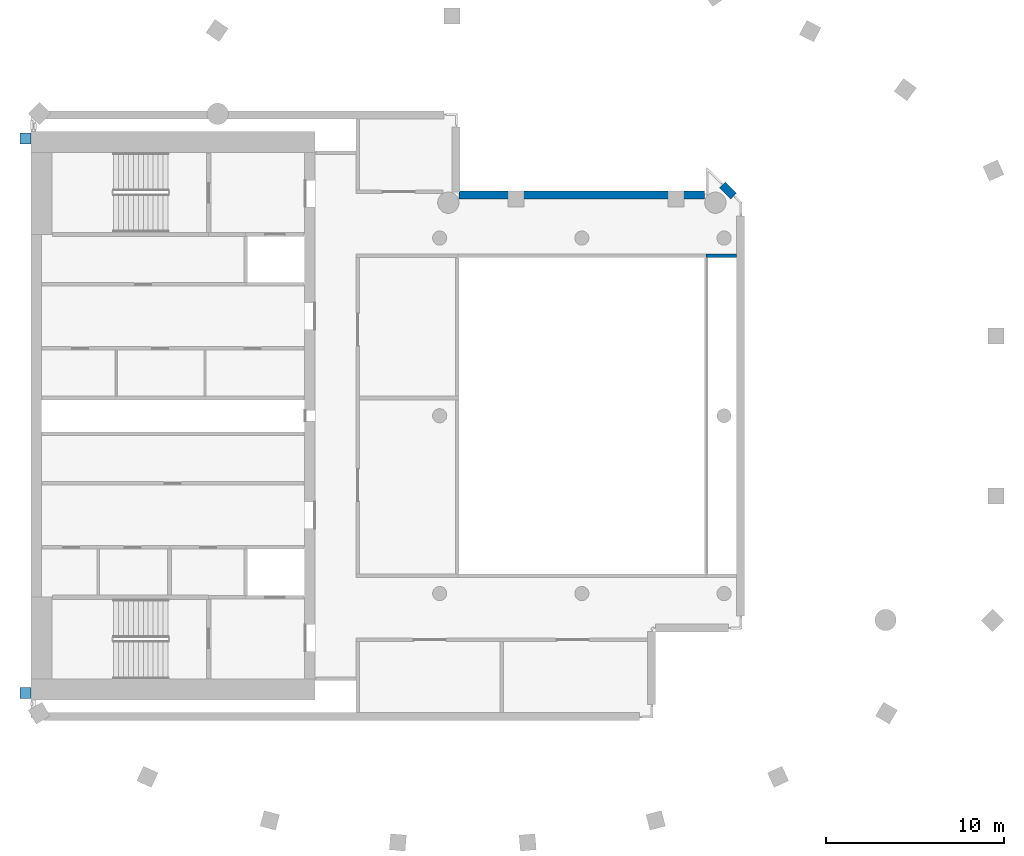
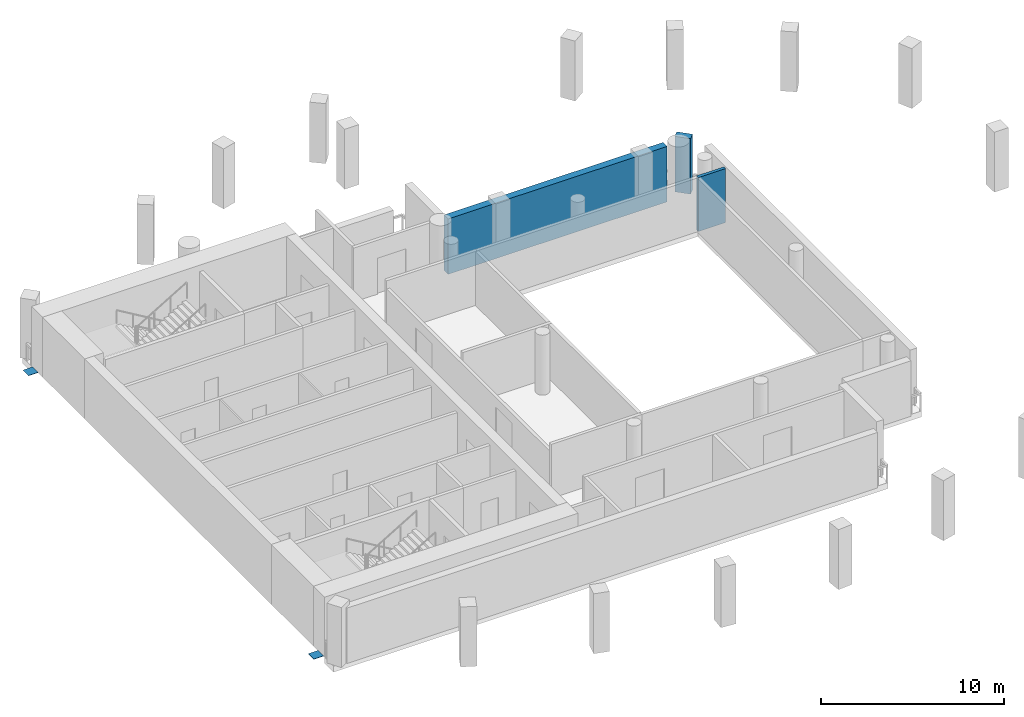
# One storey, part 3 of 8: 3 walls, 2 discrete accessories.
"""IFC4 building model written with IfcOpenShell, lengths in metres."""

import ifcopenshell
import ifcopenshell.guid

model = None  # the IFC model being written
_history = None  # IfcOwnerHistory: only IFC2X3 demands one
_inside = {}  # id of a spatial element -> (the spatial element, [elements in it])
_under = {}  # id of a project, library or spatial element -> (it, [spatial elements below it])
_declared = {}  # id of a project -> (the project, [libraries it declares])
_typed = {}  # id of a type object -> (the type object, [elements of that type])
_made_of = {}  # id of a material, layer set ... -> (it, [elements and type objects made of it])


def new_model(schema):
    """Start an empty IFC model of exactly this schema.

    Asked for "IFC4X3", IfcOpenShell would pick the latest addendum, in which some entities
    have other attributes; the version numbers below select the first issue.
    IFC2X3 requires an IfcOwnerHistory on every rooted entity: one is made here for all.
    """
    global model, _history
    if schema == "IFC4X3":
        model = ifcopenshell.file(schema_version=(4, 3, 0, 0))
    else:
        model = ifcopenshell.file(schema=schema)
    _inside.clear()
    _under.clear()
    _declared.clear()
    _typed.clear()
    _made_of.clear()
    _history = None
    if model.schema == "IFC2X3":
        org = make("IfcOrganization", Name="unknown")
        user = make(
            "IfcPersonAndOrganization",
            ThePerson=make("IfcPerson", FamilyName="unknown"),
            TheOrganization=org,
        )
        app = make(
            "IfcApplication",
            ApplicationDeveloper=org,
            Version="unknown",
            ApplicationFullName="unknown",
            ApplicationIdentifier="unknown",
        )
        _history = make(
            "IfcOwnerHistory",
            OwningUser=user,
            OwningApplication=app,
            ChangeAction="ADDED",
            CreationDate=0,
        )
    return model


def make(cls, **values):
    """One entity of the class cls with the attributes given. An attribute that is None is left unset."""
    return model.create_entity(
        cls, **{name: value for name, value in values.items() if value is not None}
    )


def rooted(cls, **values):
    """An entity with a GlobalId (a new one), such as an element, a storey or a relation."""
    return make(cls, GlobalId=ifcopenshell.guid.new(), OwnerHistory=_history, **values)


def si_unit(unit_type, name, prefix=None):
    """IfcSIUnit, for example si_unit("LENGTHUNIT", "METRE", prefix="MILLI")."""
    return make("IfcSIUnit", UnitType=unit_type, Prefix=prefix, Name=name)


def assignment(units):
    """IfcUnitAssignment: the units of a project."""
    return None if units is None else make("IfcUnitAssignment", Units=units)


def point(xyz):
    """IfcCartesianPoint."""
    return None if xyz is None else make("IfcCartesianPoint", Coordinates=xyz)


def direction(xyz):
    """IfcDirection."""
    return None if xyz is None else make("IfcDirection", DirectionRatios=xyz)


def frame(location, z_axis=None, x_axis=None):
    """IfcAxis2Placement3D, a coordinate frame: its origin and axes. An axis left out is left unset."""
    return make(
        "IfcAxis2Placement3D",
        Location=point(location),
        Axis=direction(z_axis),
        RefDirection=direction(x_axis),
    )


def frame_2d(location, x_axis=None):
    """IfcAxis2Placement2D, a coordinate frame in the plane: its origin and x axis."""
    return make(
        "IfcAxis2Placement2D", Location=point(location), RefDirection=direction(x_axis)
    )


def origin():
    """The frame at (0, 0, 0) with its axes left unset."""
    return frame((0.0, 0.0, 0.0))


def origin_2d():
    """The frame at (0, 0) in the plane with its x axis left unset."""
    return frame_2d((0.0, 0.0))


def place(relative_to, where):
    """IfcLocalPlacement: puts the frame where relative to a parent placement (None: the world)."""
    return make(
        "IfcLocalPlacement", PlacementRelTo=relative_to, RelativePlacement=where
    )


def context(
    kind, dimensions, precision=None, world=None, true_north=None, identifier=None
):
    """IfcGeometricRepresentationContext, for example the 3D "Model" context."""
    return make(
        "IfcGeometricRepresentationContext",
        ContextIdentifier=identifier,
        ContextType=kind,
        CoordinateSpaceDimension=dimensions,
        Precision=precision,
        WorldCoordinateSystem=world,
        TrueNorth=true_north,
    )


def subcontext(parent, identifier, kind, view, scale=None):
    """IfcGeometricRepresentationSubContext, for example "Body" below "Model"."""
    return make(
        "IfcGeometricRepresentationSubContext",
        ContextIdentifier=identifier,
        ContextType=kind,
        ParentContext=parent,
        TargetScale=scale,
        TargetView=view,
    )


def project(units=None, contexts=None):
    """IfcProject with its units and contexts."""
    return rooted(
        "IfcProject",
        Name="project",
        RepresentationContexts=contexts,
        UnitsInContext=assignment(units),
    )


def spatial(cls, under=None, at=None, **own):
    """A site, building, storey or space (cls), placed at a placement, below another one or the project."""
    s = rooted(cls, ObjectPlacement=at, **own)
    if under is not None:
        _under.setdefault(under.id(), (under, []))[1].append(s)
    return s


def profile(cls, at=None, kind="AREA", **sizes):
    """A parametric profile (cls). Its sizes go by their IFC names, for example OverallWidth=200.0."""
    return make(cls, ProfileType=kind, Position=at, **sizes)


def rectangle(**sizes):
    """IfcRectangleProfileDef."""
    return profile("IfcRectangleProfileDef", **sizes)


def extrude(swept, where, along, depth):
    """IfcExtrudedAreaSolid: the profile swept, set in the frame where, extruded along a direction by depth."""
    return make(
        "IfcExtrudedAreaSolid",
        SweptArea=swept,
        Position=where,
        ExtrudedDirection=direction(along),
        Depth=depth,
    )


def shape(context_of_items, identifier, shape_type, items):
    """IfcShapeRepresentation: the items that make up one representation, for example the "Body"."""
    return make(
        "IfcShapeRepresentation",
        ContextOfItems=context_of_items,
        RepresentationIdentifier=identifier,
        RepresentationType=shape_type,
        Items=items,
    )


def material(Name=None, Category=None):
    """IfcMaterial."""
    return make("IfcMaterial", Name=Name, Category=Category)


def layer(
    of_material, thickness, ventilated=None, Name=None, Category=None, Priority=None
):
    """IfcMaterialLayer: one layer of a wall or slab, of a material (None: an air gap)."""
    return make(
        "IfcMaterialLayer",
        Material=of_material,
        LayerThickness=thickness,
        IsVentilated=ventilated,
        Name=Name,
        Category=Category,
        Priority=Priority,
    )


def layer_set(layers, Name=None):
    """IfcMaterialLayerSet."""
    return make("IfcMaterialLayerSet", MaterialLayers=layers, LayerSetName=Name)


def material_profile(
    of_material, cross_section, Name=None, Category=None, Priority=None
):
    """IfcMaterialProfile: a cross section and its material."""
    return make(
        "IfcMaterialProfile",
        Name=Name,
        Material=of_material,
        Profile=cross_section,
        Priority=Priority,
        Category=Category,
    )


def profile_set(profiles, Name=None, composite=None):
    """IfcMaterialProfileSet."""
    return make(
        "IfcMaterialProfileSet",
        Name=Name,
        MaterialProfiles=profiles,
        CompositeProfile=composite,
    )


def made_of(thing, what):
    """Note that an element or type object is made of a material, layer set ...; save() writes the relation."""
    if what is not None:
        _made_of.setdefault(what.id(), (what, []))[1].append(thing)
    return thing


def type_object(cls, material=None, **own):
    """A type object (cls), such as IfcWallType, which elements share."""
    return made_of(rooted(cls, **own), material)


def element(
    cls,
    number,
    at=None,
    inside=None,
    cuts=None,
    type_object=None,
    material=None,
    context=None,
    identifier="Body",
    shape_type=None,
    held_by="IfcProductDefinitionShape",
    body=None,
    shapes=None,
    **own,
):
    """One element of the class cls, such as IfcWall. Its Tag is "e" and its number.

    at: its placement. inside: the storey or other place that contains it. cuts: it is an
    opening in that element (IfcRelVoidsElement). A single representation is given by context,
    identifier, shape_type and body (its items); several are given by shapes. held_by: the class
    of the entity that holds the representations. save() writes the other relations.
    """
    e = rooted(cls, Tag="e%d" % number, ObjectPlacement=at, **own)
    if body is not None:
        shapes = [shape(context, identifier, shape_type, body)]
    if shapes is not None:
        e.Representation = make(held_by, Representations=shapes)
    if inside is not None:
        _inside.setdefault(inside.id(), (inside, []))[1].append(e)
    if cuts is not None:
        rooted(
            "IfcRelVoidsElement", RelatingBuildingElement=cuts, RelatedOpeningElement=e
        )
    if type_object is not None:
        _typed.setdefault(type_object.id(), (type_object, []))[1].append(e)
    return made_of(e, material)


def aggregate(whole, parts):
    """IfcRelAggregates: a whole, such as a stair, and the parts it consists of."""
    return rooted("IfcRelAggregates", RelatingObject=whole, RelatedObjects=parts)


def save(model, path):
    """Write the relations noted so far, then the file.

    IfcRelAggregates (storeys below a building ...), IfcRelContainedInSpatialStructure (elements
    in a storey), IfcRelDefinesByType, IfcRelAssociatesMaterial and IfcRelDeclares: one each for
    every whole, place, type object, material and project.
    """
    for whole, parts in _under.values():
        aggregate(whole, parts)
    for where, things in _inside.values():
        rooted(
            "IfcRelContainedInSpatialStructure",
            RelatedElements=things,
            RelatingStructure=where,
        )
    for kind, things in _typed.values():
        rooted("IfcRelDefinesByType", RelatedObjects=things, RelatingType=kind)
    for what, things in _made_of.values():
        rooted("IfcRelAssociatesMaterial", RelatedObjects=things, RelatingMaterial=what)
    for by, libraries in _declared.values():
        rooted("IfcRelDeclares", RelatingContext=by, RelatedDefinitions=libraries)
    model.write(path)


model = new_model("IFC4")

# Units and contexts
model_context = context("Model", 3, precision=1e-05, world=origin(), true_north=direction((0.0, 1.0)))
body_context = subcontext(model_context, "Body", "Model", "MODEL_VIEW")
ifc_project = project(units=[si_unit("LENGTHUNIT", "METRE"), si_unit("AREAUNIT", "SQUARE_METRE"), si_unit("VOLUMEUNIT", "CUBIC_METRE"), si_unit("PLANEANGLEUNIT", "RADIAN"), si_unit("MASSUNIT", "GRAM", prefix="KILO")], contexts=[model_context])

# Site, building, storey
site_placement = place(None, origin())
site = spatial("IfcSite", under=ifc_project, at=site_placement, CompositionType="ELEMENT")
building_placement = place(site_placement, origin())
building = spatial("IfcBuilding", under=site, at=building_placement, Name="Cypress Arch Tower", CompositionType="ELEMENT")
storey_placement = place(building_placement, frame((0.0, 0.0, 339.0)))
storey = spatial("IfcBuildingStorey", under=building, at=storey_placement, Name="L77", CompositionType="ELEMENT", Elevation=339.0)

# Walls
ifc_material_1 = material(Name="Brick (red buff blend)", Category="masonry")
ifc_layer_1 = layer(ifc_material_1, 0.449951171875)
ifc_layer_set_1 = layer_set([ifc_layer_1], Name="Brick belt wall BW450-B")
wall_type_1 = type_object("IfcWallType", Name="Brick belt wall BW450-B", PredefinedType="SOLIDWALL", material=ifc_layer_set_1)
wall_1_placement = place(storey_placement, frame((9.541015625, 12.35302734375, 0.0), z_axis=(0.0, 0.0, 1.0), x_axis=(-0.707106781187, 0.707106781187, 0.0)))
element("IfcWall", 1, at=wall_1_placement, inside=storey, type_object=wall_type_1, Name="Brick wall L77 Kh04.0", PredefinedType="SOLIDWALL", context=body_context, shape_type="SweptSolid", body=[
    extrude(rectangle(XDim=0.8935546875, YDim=0.449951171875, at=frame_2d((0.44677734375, 0.0))), origin(), (0.0, 0.0, 1.0), 3.699951171875),
])
wall_2_placement = place(storey_placement, frame((7.912109375, 12.425048828125, 0.0), z_axis=(0.0, 0.0, 1.0), x_axis=(-1.0, 0.0, 0.0)))
element("IfcWall", 2, at=wall_2_placement, inside=storey, type_object=wall_type_1, Name="Brick wall L77 Kh06.0", PredefinedType="SOLIDWALL", context=body_context, shape_type="SweptSolid", body=[
    extrude(rectangle(XDim=13.82421875, YDim=0.449951171875, at=frame_2d((6.912109375, 0.0))), origin(), (0.0, 0.0, 1.0), 3.699951171875),
])
ifc_material_2 = material(Name="Reinforced blockwork, plastered, rated", Category="masonry")
ifc_layer_2 = layer(ifc_material_2, 0.199951171875)
ifc_layer_set_2 = layer_set([ifc_layer_2], Name="Plant and riser wall PL200")
wall_type_2 = type_object("IfcWallType", Name="Plant and riser wall PL200", PredefinedType="PARTITIONING", material=ifc_layer_set_2)
wall_3_placement = place(storey_placement, frame((7.97998046875, 9.0, 0.0), z_axis=(0.0, 0.0, 1.0), x_axis=(1.0, 0.0, 0.0)))
element("IfcWall", 3, at=wall_3_placement, inside=storey, type_object=wall_type_2, Name="Plant and riser wall", PredefinedType="PARTITIONING", context=body_context, shape_type="SweptSolid", body=[
    extrude(rectangle(XDim=1.719970703125, YDim=0.199951171875, at=frame_2d((0.85986328125, 0.0))), origin(), (0.0, 0.0, 1.0), 3.597900390625),
])

# Discrete accessories
ifc_material_3 = material(Name="Steel ASTM A992", Category="steel")
ifc_material_profile = material_profile(ifc_material_3, rectangle(XDim=0.609619140625, YDim=0.609619140625, at=origin_2d()), Name="PL 20 610x610")
ifc_profile_set = profile_set([ifc_material_profile], Name="Steel ASTM A992")
discrete_accessory_type = type_object("IfcDiscreteAccessoryType", Name="End cap plate 610x610x20 Steel ASTM A992", PredefinedType="ANCHORPLATE", material=ifc_profile_set)
for number, where, z_axis, x_axis, name in (
    (4, (-30.3046875, -15.60009765625, 0.0), (0.0, 0.0, 1.0), (1.0, 0.0, 0.0), "End cap plate west bracing 6S"),
    (5, (-30.3046875, 15.60009765625, 0.0), (0.0, 0.0, 1.0), (1.0, 0.0, 0.0), "End cap plate west bracing 6N"),
):
    element("IfcDiscreteAccessory", number, at=place(storey_placement, frame(where, z_axis=z_axis, x_axis=x_axis)), inside=storey, type_object=discrete_accessory_type, Name=name, PredefinedType="ANCHORPLATE", context=body_context, shape_type="SweptSolid", body=[
        extrude(rectangle(XDim=0.609619140625, YDim=0.609619140625, at=origin_2d()), origin(), (0.0, 0.0, 1.0), 0.02001953125),
    ])

save(model, "model.ifc")
